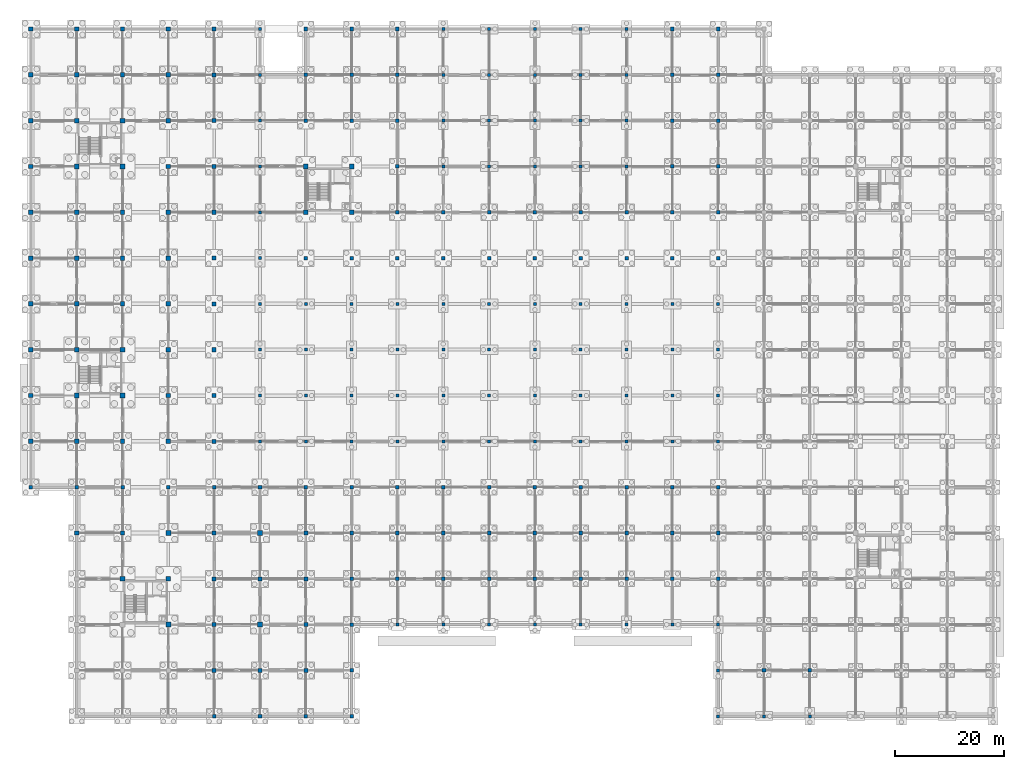
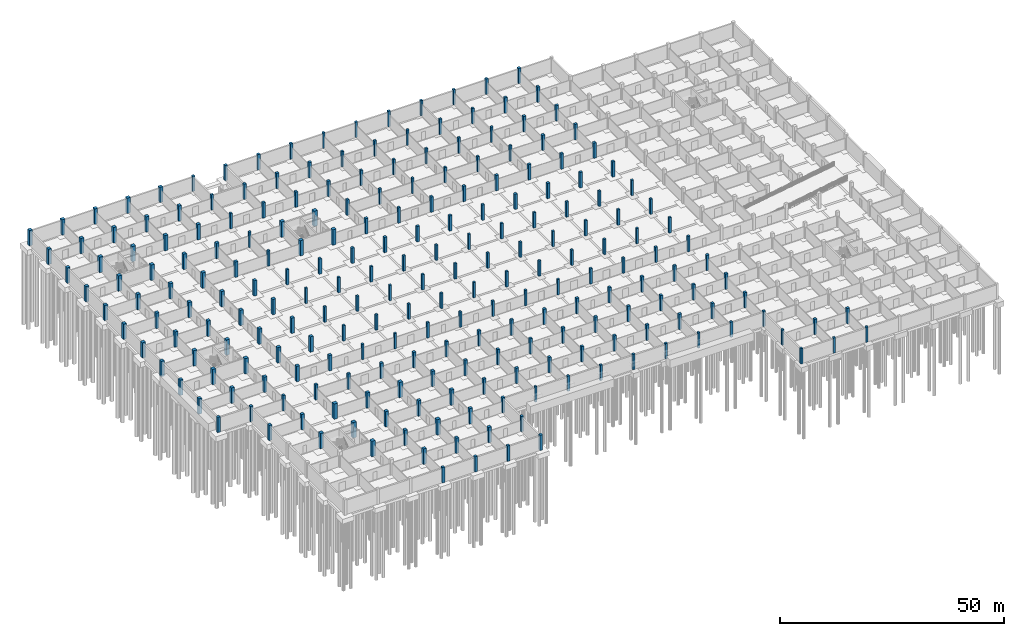
# One storey, part 16 of 43: 232 columns.
"""IFC4 building model written with IfcOpenShell, lengths in metres."""

from ifc_helpers import new_model, si_unit, direction, frame, origin, origin_2d, place, context, subcontext, project, spatial, rectangle, extrude, material, material_profile, profile_set, type_object, element, save


model = new_model("IFC4")

# Units and contexts
model_context = context("Model", 3, precision=1e-05, world=origin(), true_north=direction((0.0, 1.0)))
body_context = subcontext(model_context, "Body", "Model", "MODEL_VIEW")
ifc_project = project(units=[si_unit("LENGTHUNIT", "METRE"), si_unit("AREAUNIT", "SQUARE_METRE"), si_unit("VOLUMEUNIT", "CUBIC_METRE"), si_unit("PLANEANGLEUNIT", "RADIAN"), si_unit("MASSUNIT", "GRAM", prefix="KILO")], contexts=[model_context])

# Site, building, storey
site_placement = place(None, origin())
site = spatial("IfcSite", under=ifc_project, at=site_placement, CompositionType="ELEMENT")
building_placement = place(site_placement, origin())
building = spatial("IfcBuilding", under=site, at=building_placement, Name="Varnapada Polytechnic", CompositionType="ELEMENT")
storey_placement = place(building_placement, frame((0.0, 0.0, -4.199951171875)))
storey = spatial("IfcBuildingStorey", under=building, at=storey_placement, Name="B1", CompositionType="ELEMENT", Elevation=-4.199951171875)

# Columns
ifc_material = material(Name="Concrete C40/50", Category="concrete")
ifc_material_profile_1 = material_profile(ifc_material, rectangle(XDim=0.85009765625, YDim=0.85009765625, at=origin_2d()), Name="RC 850x850")
ifc_profile_set_1 = profile_set([ifc_material_profile_1], Name="Concrete C40/50")
column_type_1 = type_object("IfcColumnType", Name="Column C-01 (RC 850x850)", PredefinedType="COLUMN", material=ifc_profile_set_1)
for number, where, z_axis, x_axis, name in (
    (1, (8.39990234375, 58.800048828125, 0.0), (0.0, 0.0, 1.0), (1.0, 0.0, 0.0), "B1 column 2/8"),
    (2, (8.39990234375, 67.199951171875, 0.0), (0.0, 0.0, 1.0), (1.0, 0.0, 0.0), "B1 column 2/9"),
    (3, (8.39990234375, 100.800048828125, 0.0), (0.0, 0.0, 1.0), (1.0, 0.0, 0.0), "B1 column 2/13"),
    (4, (8.39990234375, 109.199951171875, 0.0), (0.0, 0.0, 1.0), (1.0, 0.0, 0.0), "B1 column 2/14"),
    (5, (16.800048828125, 25.199951171875, 0.0), (0.0, 0.0, 1.0), (1.0, 0.0, 0.0), "B1 column 3/4"),
    (6, (16.800048828125, 58.800048828125, 0.0), (0.0, 0.0, 1.0), (1.0, 0.0, 0.0), "B1 column 3/8"),
    (7, (16.800048828125, 67.199951171875, 0.0), (0.0, 0.0, 1.0), (1.0, 0.0, 0.0), "B1 column 3/9"),
    (8, (16.800048828125, 100.800048828125, 0.0), (0.0, 0.0, 1.0), (1.0, 0.0, 0.0), "B1 column 3/13"),
    (9, (16.800048828125, 109.199951171875, 0.0), (0.0, 0.0, 1.0), (1.0, 0.0, 0.0), "B1 column 3/14"),
    (10, (25.199951171875, 25.199951171875, 0.0), (0.0, 0.0, 1.0), (1.0, 0.0, 0.0), "B1 column 4/4"),
    (11, (50.39990234375, 92.39990234375, 0.0), (0.0, 0.0, 1.0), (1.0, 0.0, 0.0), "B1 column 7/12"),
    (12, (50.39990234375, 100.800048828125, 0.0), (0.0, 0.0, 1.0), (1.0, 0.0, 0.0), "B1 column 7/13"),
    (13, (58.800048828125, 92.39990234375, 0.0), (0.0, 0.0, 1.0), (1.0, 0.0, 0.0), "B1 column 8/12"),
    (14, (58.800048828125, 100.800048828125, 0.0), (0.0, 0.0, 1.0), (1.0, 0.0, 0.0), "B1 column 8/13"),
):
    element("IfcColumn", number, at=place(storey_placement, frame(where, z_axis=z_axis, x_axis=x_axis)), inside=storey, type_object=column_type_1, Name=name, PredefinedType="COLUMN", context=body_context, shape_type="SweptSolid", body=[
        extrude(rectangle(XDim=0.85009765625, YDim=0.85009765625, at=origin_2d()), origin(), (0.0, 0.0, 1.0), 4.199951171875),
    ])
ifc_material_profile_2 = material_profile(ifc_material, rectangle(XDim=0.75, YDim=0.75, at=origin_2d()), Name="RC 750x750")
ifc_profile_set_2 = profile_set([ifc_material_profile_2], Name="Concrete C40/50")
column_type_2 = type_object("IfcColumnType", Name="Column C-02 (RC 750x750)", PredefinedType="COLUMN", material=ifc_profile_set_2)
for number, where, z_axis, x_axis, name in (
    (15, (8.39990234375, 33.60009765625, 0.0), (0.0, 0.0, 1.0), (1.0, 0.0, 0.0), "B1 column 2/5"),
    (16, (16.800048828125, 33.60009765625, 0.0), (0.0, 0.0, 1.0), (1.0, 0.0, 0.0), "B1 column 3/5"),
    (17, (33.60009765625, 8.39990234375, 0.0), (0.0, 0.0, 1.0), (1.0, 0.0, 0.0), "B1 column 5/2"),
    (18, (33.60009765625, 16.800048828125, 0.0), (0.0, 0.0, 1.0), (1.0, 0.0, 0.0), "B1 column 5/3"),
    (19, (33.60009765625, 25.199951171875, 0.0), (0.0, 0.0, 1.0), (1.0, 0.0, 0.0), "B1 column 5/4"),
    (20, (33.60009765625, 33.60009765625, 0.0), (0.0, 0.0, 1.0), (1.0, 0.0, 0.0), "B1 column 5/5"),
    (21, (33.60009765625, 50.39990234375, 0.0), (0.0, 0.0, 1.0), (1.0, 0.0, 0.0), "B1 column 5/7"),
    (22, (33.60009765625, 58.800048828125, 0.0), (0.0, 0.0, 1.0), (1.0, 0.0, 0.0), "B1 column 5/8"),
    (23, (33.60009765625, 67.199951171875, 0.0), (0.0, 0.0, 1.0), (1.0, 0.0, 0.0), "B1 column 5/9"),
    (24, (33.60009765625, 75.60009765625, 0.0), (0.0, 0.0, 1.0), (1.0, 0.0, 0.0), "B1 column 5/10"),
    (25, (33.60009765625, 84.0, 0.0), (0.0, 0.0, 1.0), (1.0, 0.0, 0.0), "B1 column 5/11"),
    (26, (33.60009765625, 92.39990234375, 0.0), (0.0, 0.0, 1.0), (1.0, 0.0, 0.0), "B1 column 5/12"),
    (27, (33.60009765625, 100.800048828125, 0.0), (0.0, 0.0, 1.0), (1.0, 0.0, 0.0), "B1 column 5/13"),
    (28, (33.60009765625, 109.199951171875, 0.0), (0.0, 0.0, 1.0), (1.0, 0.0, 0.0), "B1 column 5/14"),
    (29, (33.60009765625, 117.60009765625, 0.0), (0.0, 0.0, 1.0), (1.0, 0.0, 0.0), "B1 column 5/15"),
    (30, (33.60009765625, 126.0, 0.0), (0.0, 0.0, 1.0), (1.0, 0.0, 0.0), "B1 column 5/16"),
    (31, (42.0, 8.39990234375, 0.0), (0.0, 0.0, 1.0), (1.0, 0.0, 0.0), "B1 column 6/2"),
    (32, (42.0, 25.199951171875, 0.0), (0.0, 0.0, 1.0), (1.0, 0.0, 0.0), "B1 column 6/4"),
    (33, (50.39990234375, 8.39990234375, 0.0), (0.0, 0.0, 1.0), (1.0, 0.0, 0.0), "B1 column 7/2"),
    (34, (50.39990234375, 16.800048828125, 0.0), (0.0, 0.0, 1.0), (1.0, 0.0, 0.0), "B1 column 7/3"),
    (35, (50.39990234375, 25.199951171875, 0.0), (0.0, 0.0, 1.0), (1.0, 0.0, 0.0), "B1 column 7/4"),
    (36, (50.39990234375, 33.60009765625, 0.0), (0.0, 0.0, 1.0), (1.0, 0.0, 0.0), "B1 column 7/5"),
):
    element("IfcColumn", number, at=place(storey_placement, frame(where, z_axis=z_axis, x_axis=x_axis)), inside=storey, type_object=column_type_2, Name=name, PredefinedType="COLUMN", context=body_context, shape_type="SweptSolid", body=[
        extrude(rectangle(XDim=0.75, YDim=0.75, at=origin_2d()), origin(), (0.0, 0.0, 1.0), 4.199951171875),
    ])
ifc_material_profile_3 = material_profile(ifc_material, rectangle(XDim=0.64990234375, YDim=0.64990234375, at=origin_2d()), Name="RC 650x650")
ifc_profile_set_3 = profile_set([ifc_material_profile_3], Name="Concrete C40/50")
column_type_3 = type_object("IfcColumnType", Name="Column C-03 (RC 650x650)", PredefinedType="COLUMN", material=ifc_profile_set_3)
for number, where, z_axis, x_axis, name in (
    (37, (0.0, 42.0, 0.0), (0.0, 0.0, 1.0), (1.0, 0.0, 0.0), "B1 column 1/6"),
    (38, (8.39990234375, 42.0, 0.0), (0.0, 0.0, 1.0), (1.0, 0.0, 0.0), "B1 column 2/6"),
    (39, (16.800048828125, 42.0, 0.0), (0.0, 0.0, 1.0), (1.0, 0.0, 0.0), "B1 column 3/6"),
    (40, (25.199951171875, 42.0, 0.0), (0.0, 0.0, 1.0), (1.0, 0.0, 0.0), "B1 column 4/6"),
    (41, (33.60009765625, 0.0, 0.0), (0.0, 0.0, 1.0), (1.0, 0.0, 0.0), "B1 column 5/1"),
    (42, (33.60009765625, 42.0, 0.0), (0.0, 0.0, 1.0), (1.0, 0.0, 0.0), "B1 column 5/6"),
    (43, (42.0, 0.0, 0.0), (0.0, 0.0, 1.0), (1.0, 0.0, 0.0), "B1 column 6/1"),
    (44, (42.0, 42.0, 0.0), (0.0, 0.0, 1.0), (1.0, 0.0, 0.0), "B1 column 6/6"),
    (45, (50.39990234375, 0.0, 0.0), (0.0, 0.0, 1.0), (1.0, 0.0, 0.0), "B1 column 7/1"),
    (46, (50.39990234375, 42.0, 0.0), (0.0, 0.0, 1.0), (1.0, 0.0, 0.0), "B1 column 7/6"),
    (47, (50.39990234375, 84.0, 0.0), (0.0, 0.0, 1.0), (1.0, 0.0, 0.0), "B1 column 7/11"),
    (48, (50.39990234375, 109.199951171875, 0.0), (0.0, 0.0, 1.0), (1.0, 0.0, 0.0), "B1 column 7/14"),
    (49, (50.39990234375, 117.60009765625, 0.0), (0.0, 0.0, 1.0), (1.0, 0.0, 0.0), "B1 column 7/15"),
    (50, (50.39990234375, 126.0, 0.0), (0.0, 0.0, 1.0), (1.0, 0.0, 0.0), "B1 column 7/16"),
    (51, (58.800048828125, 0.0, 0.0), (0.0, 0.0, 1.0), (1.0, 0.0, 0.0), "B1 column 8/1"),
    (52, (58.800048828125, 8.39990234375, 0.0), (0.0, 0.0, 1.0), (1.0, 0.0, 0.0), "B1 column 8/2"),
    (53, (58.800048828125, 16.800048828125, 0.0), (0.0, 0.0, 1.0), (1.0, 0.0, 0.0), "B1 column 8/3"),
    (54, (58.800048828125, 25.199951171875, 0.0), (0.0, 0.0, 1.0), (1.0, 0.0, 0.0), "B1 column 8/4"),
    (55, (58.800048828125, 33.60009765625, 0.0), (0.0, 0.0, 1.0), (1.0, 0.0, 0.0), "B1 column 8/5"),
    (56, (58.800048828125, 42.0, 0.0), (0.0, 0.0, 1.0), (1.0, 0.0, 0.0), "B1 column 8/6"),
    (57, (58.800048828125, 84.0, 0.0), (0.0, 0.0, 1.0), (1.0, 0.0, 0.0), "B1 column 8/11"),
    (58, (58.800048828125, 109.199951171875, 0.0), (0.0, 0.0, 1.0), (1.0, 0.0, 0.0), "B1 column 8/14"),
    (59, (58.800048828125, 117.60009765625, 0.0), (0.0, 0.0, 1.0), (1.0, 0.0, 0.0), "B1 column 8/15"),
    (60, (58.800048828125, 126.0, 0.0), (0.0, 0.0, 1.0), (1.0, 0.0, 0.0), "B1 column 8/16"),
    (61, (67.199951171875, 25.199951171875, 0.0), (0.0, 0.0, 1.0), (1.0, 0.0, 0.0), "B1 column 9/4"),
    (62, (67.199951171875, 33.60009765625, 0.0), (0.0, 0.0, 1.0), (1.0, 0.0, 0.0), "B1 column 9/5"),
    (63, (67.199951171875, 42.0, 0.0), (0.0, 0.0, 1.0), (1.0, 0.0, 0.0), "B1 column 9/6"),
    (64, (67.199951171875, 84.0, 0.0), (0.0, 0.0, 1.0), (1.0, 0.0, 0.0), "B1 column 9/11"),
    (65, (67.199951171875, 92.39990234375, 0.0), (0.0, 0.0, 1.0), (1.0, 0.0, 0.0), "B1 column 9/12"),
    (66, (67.199951171875, 100.800048828125, 0.0), (0.0, 0.0, 1.0), (1.0, 0.0, 0.0), "B1 column 9/13"),
    (67, (67.199951171875, 109.199951171875, 0.0), (0.0, 0.0, 1.0), (1.0, 0.0, 0.0), "B1 column 9/14"),
    (68, (67.199951171875, 117.60009765625, 0.0), (0.0, 0.0, 1.0), (1.0, 0.0, 0.0), "B1 column 9/15"),
    (69, (67.199951171875, 126.0, 0.0), (0.0, 0.0, 1.0), (1.0, 0.0, 0.0), "B1 column 9/16"),
    (70, (75.60009765625, 25.199951171875, 0.0), (0.0, 0.0, 1.0), (1.0, 0.0, 0.0), "B1 column 10/4"),
    (71, (75.60009765625, 33.60009765625, 0.0), (0.0, 0.0, 1.0), (1.0, 0.0, 0.0), "B1 column 10/5"),
    (72, (75.60009765625, 42.0, 0.0), (0.0, 0.0, 1.0), (1.0, 0.0, 0.0), "B1 column 10/6"),
    (73, (75.60009765625, 84.0, 0.0), (0.0, 0.0, 1.0), (1.0, 0.0, 0.0), "B1 column 10/11"),
    (74, (75.60009765625, 92.39990234375, 0.0), (0.0, 0.0, 1.0), (1.0, 0.0, 0.0), "B1 column 10/12"),
    (75, (84.0, 25.199951171875, 0.0), (0.0, 0.0, 1.0), (1.0, 0.0, 0.0), "B1 column 11/4"),
    (76, (84.0, 33.60009765625, 0.0), (0.0, 0.0, 1.0), (1.0, 0.0, 0.0), "B1 column 11/5"),
    (77, (84.0, 42.0, 0.0), (0.0, 0.0, 1.0), (1.0, 0.0, 0.0), "B1 column 11/6"),
    (78, (84.0, 84.0, 0.0), (0.0, 0.0, 1.0), (1.0, 0.0, 0.0), "B1 column 11/11"),
    (79, (84.0, 92.39990234375, 0.0), (0.0, 0.0, 1.0), (1.0, 0.0, 0.0), "B1 column 11/12"),
    (80, (92.39990234375, 25.199951171875, 0.0), (0.0, 0.0, 1.0), (1.0, 0.0, 0.0), "B1 column 12/4"),
    (81, (92.39990234375, 33.60009765625, 0.0), (0.0, 0.0, 1.0), (1.0, 0.0, 0.0), "B1 column 12/5"),
    (82, (92.39990234375, 42.0, 0.0), (0.0, 0.0, 1.0), (1.0, 0.0, 0.0), "B1 column 12/6"),
    (83, (92.39990234375, 84.0, 0.0), (0.0, 0.0, 1.0), (1.0, 0.0, 0.0), "B1 column 12/11"),
    (84, (92.39990234375, 92.39990234375, 0.0), (0.0, 0.0, 1.0), (1.0, 0.0, 0.0), "B1 column 12/12"),
    (85, (100.800048828125, 25.199951171875, 0.0), (0.0, 0.0, 1.0), (1.0, 0.0, 0.0), "B1 column 13/4"),
    (86, (100.800048828125, 33.60009765625, 0.0), (0.0, 0.0, 1.0), (1.0, 0.0, 0.0), "B1 column 13/5"),
    (87, (100.800048828125, 42.0, 0.0), (0.0, 0.0, 1.0), (1.0, 0.0, 0.0), "B1 column 13/6"),
    (88, (100.800048828125, 84.0, 0.0), (0.0, 0.0, 1.0), (1.0, 0.0, 0.0), "B1 column 13/11"),
    (89, (100.800048828125, 92.39990234375, 0.0), (0.0, 0.0, 1.0), (1.0, 0.0, 0.0), "B1 column 13/12"),
    (90, (109.199951171875, 25.199951171875, 0.0), (0.0, 0.0, 1.0), (1.0, 0.0, 0.0), "B1 column 14/4"),
    (91, (109.199951171875, 33.60009765625, 0.0), (0.0, 0.0, 1.0), (1.0, 0.0, 0.0), "B1 column 14/5"),
    (92, (109.199951171875, 42.0, 0.0), (0.0, 0.0, 1.0), (1.0, 0.0, 0.0), "B1 column 14/6"),
    (93, (109.199951171875, 84.0, 0.0), (0.0, 0.0, 1.0), (1.0, 0.0, 0.0), "B1 column 14/11"),
    (94, (109.199951171875, 92.39990234375, 0.0), (0.0, 0.0, 1.0), (1.0, 0.0, 0.0), "B1 column 14/12"),
    (95, (117.60009765625, 25.199951171875, 0.0), (0.0, 0.0, 1.0), (1.0, 0.0, 0.0), "B1 column 15/4"),
    (96, (117.60009765625, 33.60009765625, 0.0), (0.0, 0.0, 1.0), (1.0, 0.0, 0.0), "B1 column 15/5"),
    (97, (117.60009765625, 42.0, 0.0), (0.0, 0.0, 1.0), (1.0, 0.0, 0.0), "B1 column 15/6"),
    (98, (117.60009765625, 84.0, 0.0), (0.0, 0.0, 1.0), (1.0, 0.0, 0.0), "B1 column 15/11"),
    (99, (117.60009765625, 92.39990234375, 0.0), (0.0, 0.0, 1.0), (1.0, 0.0, 0.0), "B1 column 15/12"),
    (100, (117.60009765625, 100.800048828125, 0.0), (0.0, 0.0, 1.0), (1.0, 0.0, 0.0), "B1 column 15/13"),
    (101, (117.60009765625, 109.199951171875, 0.0), (0.0, 0.0, 1.0), (1.0, 0.0, 0.0), "B1 column 15/14"),
    (102, (117.60009765625, 117.60009765625, 0.0), (0.0, 0.0, 1.0), (1.0, 0.0, 0.0), "B1 column 15/15"),
    (103, (117.60009765625, 126.0, 0.0), (0.0, 0.0, 1.0), (1.0, 0.0, 0.0), "B1 column 15/16"),
    (104, (126.0, 25.199951171875, 0.0), (0.0, 0.0, 1.0), (1.0, 0.0, 0.0), "B1 column 16/4"),
    (105, (126.0, 33.60009765625, 0.0), (0.0, 0.0, 1.0), (1.0, 0.0, 0.0), "B1 column 16/5"),
    (106, (126.0, 42.0, 0.0), (0.0, 0.0, 1.0), (1.0, 0.0, 0.0), "B1 column 16/6"),
    (107, (126.0, 84.0, 0.0), (0.0, 0.0, 1.0), (1.0, 0.0, 0.0), "B1 column 16/11"),
    (108, (126.0, 92.39990234375, 0.0), (0.0, 0.0, 1.0), (1.0, 0.0, 0.0), "B1 column 16/12"),
    (109, (126.0, 100.800048828125, 0.0), (0.0, 0.0, 1.0), (1.0, 0.0, 0.0), "B1 column 16/13"),
    (110, (126.0, 109.199951171875, 0.0), (0.0, 0.0, 1.0), (1.0, 0.0, 0.0), "B1 column 16/14"),
    (111, (126.0, 117.60009765625, 0.0), (0.0, 0.0, 1.0), (1.0, 0.0, 0.0), "B1 column 16/15"),
    (112, (126.0, 126.0, 0.0), (0.0, 0.0, 1.0), (1.0, 0.0, 0.0), "B1 column 16/16"),
    (113, (134.39990234375, 8.39990234375, 0.0), (0.0, 0.0, 1.0), (1.0, 0.0, 0.0), "B1 column 17/2"),
    (114, (142.800048828125, 8.39990234375, 0.0), (0.0, 0.0, 1.0), (1.0, 0.0, 0.0), "B1 column 18/2"),
):
    element("IfcColumn", number, at=place(storey_placement, frame(where, z_axis=z_axis, x_axis=x_axis)), inside=storey, type_object=column_type_3, Name=name, PredefinedType="COLUMN", context=body_context, shape_type="SweptSolid", body=[
        extrude(rectangle(XDim=0.64990234375, YDim=0.64990234375, at=origin_2d()), origin(), (0.0, 0.0, 1.0), 4.199951171875),
    ])
ifc_material_profile_4 = material_profile(ifc_material, rectangle(XDim=0.550048828125, YDim=0.550048828125, at=origin_2d()), Name="RC 550x550")
ifc_profile_set_4 = profile_set([ifc_material_profile_4], Name="Concrete C40/50")
column_type_4 = type_object("IfcColumnType", Name="Column C-04 (RC 550x550)", PredefinedType="COLUMN", material=ifc_profile_set_4)
for number, where, z_axis, x_axis, name in (
    (115, (42.0, 50.39990234375, 0.0), (0.0, 0.0, 1.0), (1.0, 0.0, 0.0), "B1 column 6/7"),
    (116, (42.0, 58.800048828125, 0.0), (0.0, 0.0, 1.0), (1.0, 0.0, 0.0), "B1 column 6/8"),
    (117, (42.0, 67.199951171875, 0.0), (0.0, 0.0, 1.0), (1.0, 0.0, 0.0), "B1 column 6/9"),
    (118, (42.0, 75.60009765625, 0.0), (0.0, 0.0, 1.0), (1.0, 0.0, 0.0), "B1 column 6/10"),
    (119, (42.0, 84.0, 0.0), (0.0, 0.0, 1.0), (1.0, 0.0, 0.0), "B1 column 6/11"),
    (120, (42.0, 92.39990234375, 0.0), (0.0, 0.0, 1.0), (1.0, 0.0, 0.0), "B1 column 6/12"),
    (121, (42.0, 100.800048828125, 0.0), (0.0, 0.0, 1.0), (1.0, 0.0, 0.0), "B1 column 6/13"),
    (122, (42.0, 109.199951171875, 0.0), (0.0, 0.0, 1.0), (1.0, 0.0, 0.0), "B1 column 6/14"),
    (123, (42.0, 117.60009765625, 0.0), (0.0, 0.0, 1.0), (1.0, 0.0, 0.0), "B1 column 6/15"),
    (124, (42.0, 126.0, 0.0), (0.0, 0.0, 1.0), (1.0, 0.0, 0.0), "B1 column 6/16"),
    (125, (50.39990234375, 50.39990234375, 0.0), (0.0, 0.0, 1.0), (1.0, 0.0, 0.0), "B1 column 7/7"),
    (126, (50.39990234375, 58.800048828125, 0.0), (0.0, 0.0, 1.0), (1.0, 0.0, 0.0), "B1 column 7/8"),
    (127, (50.39990234375, 67.199951171875, 0.0), (0.0, 0.0, 1.0), (1.0, 0.0, 0.0), "B1 column 7/9"),
    (128, (50.39990234375, 75.60009765625, 0.0), (0.0, 0.0, 1.0), (1.0, 0.0, 0.0), "B1 column 7/10"),
    (129, (58.800048828125, 50.39990234375, 0.0), (0.0, 0.0, 1.0), (1.0, 0.0, 0.0), "B1 column 8/7"),
    (130, (58.800048828125, 58.800048828125, 0.0), (0.0, 0.0, 1.0), (1.0, 0.0, 0.0), "B1 column 8/8"),
    (131, (58.800048828125, 67.199951171875, 0.0), (0.0, 0.0, 1.0), (1.0, 0.0, 0.0), "B1 column 8/9"),
    (132, (58.800048828125, 75.60009765625, 0.0), (0.0, 0.0, 1.0), (1.0, 0.0, 0.0), "B1 column 8/10"),
    (133, (67.199951171875, 16.800048828125, 0.0), (0.0, 0.0, 1.0), (1.0, 0.0, 0.0), "B1 column 9/3"),
    (134, (67.199951171875, 50.39990234375, 0.0), (0.0, 0.0, 1.0), (1.0, 0.0, 0.0), "B1 column 9/7"),
    (135, (67.199951171875, 58.800048828125, 0.0), (0.0, 0.0, 1.0), (1.0, 0.0, 0.0), "B1 column 9/8"),
    (136, (67.199951171875, 67.199951171875, 0.0), (0.0, 0.0, 1.0), (1.0, 0.0, 0.0), "B1 column 9/9"),
    (137, (67.199951171875, 75.60009765625, 0.0), (0.0, 0.0, 1.0), (1.0, 0.0, 0.0), "B1 column 9/10"),
    (138, (75.60009765625, 16.800048828125, 0.0), (0.0, 0.0, 1.0), (1.0, 0.0, 0.0), "B1 column 10/3"),
    (139, (75.60009765625, 50.39990234375, 0.0), (0.0, 0.0, 1.0), (1.0, 0.0, 0.0), "B1 column 10/7"),
    (140, (75.60009765625, 58.800048828125, 0.0), (0.0, 0.0, 1.0), (1.0, 0.0, 0.0), "B1 column 10/8"),
    (141, (75.60009765625, 67.199951171875, 0.0), (0.0, 0.0, 1.0), (1.0, 0.0, 0.0), "B1 column 10/9"),
    (142, (75.60009765625, 75.60009765625, 0.0), (0.0, 0.0, 1.0), (1.0, 0.0, 0.0), "B1 column 10/10"),
    (143, (75.60009765625, 100.800048828125, 0.0), (0.0, 0.0, 1.0), (1.0, 0.0, 0.0), "B1 column 10/13"),
    (144, (75.60009765625, 109.199951171875, 0.0), (0.0, 0.0, 1.0), (1.0, 0.0, 0.0), "B1 column 10/14"),
    (145, (75.60009765625, 117.60009765625, 0.0), (0.0, 0.0, 1.0), (1.0, 0.0, 0.0), "B1 column 10/15"),
    (146, (75.60009765625, 126.0, 0.0), (0.0, 0.0, 1.0), (1.0, 0.0, 0.0), "B1 column 10/16"),
    (147, (84.0, 16.800048828125, 0.0), (0.0, 0.0, 1.0), (1.0, 0.0, 0.0), "B1 column 11/3"),
    (148, (84.0, 50.39990234375, 0.0), (0.0, 0.0, 1.0), (1.0, 0.0, 0.0), "B1 column 11/7"),
    (149, (84.0, 58.800048828125, 0.0), (0.0, 0.0, 1.0), (1.0, 0.0, 0.0), "B1 column 11/8"),
    (150, (84.0, 67.199951171875, 0.0), (0.0, 0.0, 1.0), (1.0, 0.0, 0.0), "B1 column 11/9"),
    (151, (84.0, 75.60009765625, 0.0), (0.0, 0.0, 1.0), (1.0, 0.0, 0.0), "B1 column 11/10"),
    (152, (84.0, 100.800048828125, 0.0), (0.0, 0.0, 1.0), (1.0, 0.0, 0.0), "B1 column 11/13"),
    (153, (84.0, 109.199951171875, 0.0), (0.0, 0.0, 1.0), (1.0, 0.0, 0.0), "B1 column 11/14"),
    (154, (84.0, 117.60009765625, 0.0), (0.0, 0.0, 1.0), (1.0, 0.0, 0.0), "B1 column 11/15"),
    (155, (84.0, 126.0, 0.0), (0.0, 0.0, 1.0), (1.0, 0.0, 0.0), "B1 column 11/16"),
    (156, (92.39990234375, 16.800048828125, 0.0), (0.0, 0.0, 1.0), (1.0, 0.0, 0.0), "B1 column 12/3"),
    (157, (92.39990234375, 50.39990234375, 0.0), (0.0, 0.0, 1.0), (1.0, 0.0, 0.0), "B1 column 12/7"),
    (158, (92.39990234375, 58.800048828125, 0.0), (0.0, 0.0, 1.0), (1.0, 0.0, 0.0), "B1 column 12/8"),
    (159, (92.39990234375, 67.199951171875, 0.0), (0.0, 0.0, 1.0), (1.0, 0.0, 0.0), "B1 column 12/9"),
    (160, (92.39990234375, 75.60009765625, 0.0), (0.0, 0.0, 1.0), (1.0, 0.0, 0.0), "B1 column 12/10"),
    (161, (92.39990234375, 100.800048828125, 0.0), (0.0, 0.0, 1.0), (1.0, 0.0, 0.0), "B1 column 12/13"),
    (162, (92.39990234375, 109.199951171875, 0.0), (0.0, 0.0, 1.0), (1.0, 0.0, 0.0), "B1 column 12/14"),
    (163, (92.39990234375, 117.60009765625, 0.0), (0.0, 0.0, 1.0), (1.0, 0.0, 0.0), "B1 column 12/15"),
    (164, (92.39990234375, 126.0, 0.0), (0.0, 0.0, 1.0), (1.0, 0.0, 0.0), "B1 column 12/16"),
    (165, (100.800048828125, 16.800048828125, 0.0), (0.0, 0.0, 1.0), (1.0, 0.0, 0.0), "B1 column 13/3"),
    (166, (100.800048828125, 50.39990234375, 0.0), (0.0, 0.0, 1.0), (1.0, 0.0, 0.0), "B1 column 13/7"),
    (167, (100.800048828125, 58.800048828125, 0.0), (0.0, 0.0, 1.0), (1.0, 0.0, 0.0), "B1 column 13/8"),
    (168, (100.800048828125, 67.199951171875, 0.0), (0.0, 0.0, 1.0), (1.0, 0.0, 0.0), "B1 column 13/9"),
    (169, (100.800048828125, 75.60009765625, 0.0), (0.0, 0.0, 1.0), (1.0, 0.0, 0.0), "B1 column 13/10"),
    (170, (100.800048828125, 100.800048828125, 0.0), (0.0, 0.0, 1.0), (1.0, 0.0, 0.0), "B1 column 13/13"),
    (171, (100.800048828125, 109.199951171875, 0.0), (0.0, 0.0, 1.0), (1.0, 0.0, 0.0), "B1 column 13/14"),
    (172, (100.800048828125, 117.60009765625, 0.0), (0.0, 0.0, 1.0), (1.0, 0.0, 0.0), "B1 column 13/15"),
    (173, (100.800048828125, 126.0, 0.0), (0.0, 0.0, 1.0), (1.0, 0.0, 0.0), "B1 column 13/16"),
    (174, (109.199951171875, 16.800048828125, 0.0), (0.0, 0.0, 1.0), (1.0, 0.0, 0.0), "B1 column 14/3"),
    (175, (109.199951171875, 50.39990234375, 0.0), (0.0, 0.0, 1.0), (1.0, 0.0, 0.0), "B1 column 14/7"),
    (176, (109.199951171875, 58.800048828125, 0.0), (0.0, 0.0, 1.0), (1.0, 0.0, 0.0), "B1 column 14/8"),
    (177, (109.199951171875, 67.199951171875, 0.0), (0.0, 0.0, 1.0), (1.0, 0.0, 0.0), "B1 column 14/9"),
    (178, (109.199951171875, 75.60009765625, 0.0), (0.0, 0.0, 1.0), (1.0, 0.0, 0.0), "B1 column 14/10"),
    (179, (109.199951171875, 100.800048828125, 0.0), (0.0, 0.0, 1.0), (1.0, 0.0, 0.0), "B1 column 14/13"),
    (180, (109.199951171875, 109.199951171875, 0.0), (0.0, 0.0, 1.0), (1.0, 0.0, 0.0), "B1 column 14/14"),
    (181, (109.199951171875, 117.60009765625, 0.0), (0.0, 0.0, 1.0), (1.0, 0.0, 0.0), "B1 column 14/15"),
    (182, (109.199951171875, 126.0, 0.0), (0.0, 0.0, 1.0), (1.0, 0.0, 0.0), "B1 column 14/16"),
    (183, (117.60009765625, 16.800048828125, 0.0), (0.0, 0.0, 1.0), (1.0, 0.0, 0.0), "B1 column 15/3"),
    (184, (117.60009765625, 50.39990234375, 0.0), (0.0, 0.0, 1.0), (1.0, 0.0, 0.0), "B1 column 15/7"),
    (185, (117.60009765625, 58.800048828125, 0.0), (0.0, 0.0, 1.0), (1.0, 0.0, 0.0), "B1 column 15/8"),
    (186, (117.60009765625, 67.199951171875, 0.0), (0.0, 0.0, 1.0), (1.0, 0.0, 0.0), "B1 column 15/9"),
    (187, (117.60009765625, 75.60009765625, 0.0), (0.0, 0.0, 1.0), (1.0, 0.0, 0.0), "B1 column 15/10"),
    (188, (126.0, 0.0, 0.0), (0.0, 0.0, 1.0), (1.0, 0.0, 0.0), "B1 column 16/1"),
    (189, (126.0, 8.39990234375, 0.0), (0.0, 0.0, 1.0), (1.0, 0.0, 0.0), "B1 column 16/2"),
    (190, (126.0, 16.800048828125, 0.0), (0.0, 0.0, 1.0), (1.0, 0.0, 0.0), "B1 column 16/3"),
    (191, (126.0, 50.39990234375, 0.0), (0.0, 0.0, 1.0), (1.0, 0.0, 0.0), "B1 column 16/7"),
    (192, (126.0, 58.800048828125, 0.0), (0.0, 0.0, 1.0), (1.0, 0.0, 0.0), "B1 column 16/8"),
    (193, (126.0, 67.199951171875, 0.0), (0.0, 0.0, 1.0), (1.0, 0.0, 0.0), "B1 column 16/9"),
    (194, (126.0, 75.60009765625, 0.0), (0.0, 0.0, 1.0), (1.0, 0.0, 0.0), "B1 column 16/10"),
    (195, (134.39990234375, 0.0, 0.0), (0.0, 0.0, 1.0), (1.0, 0.0, 0.0), "B1 column 17/1"),
    (196, (142.800048828125, 0.0, 0.0), (0.0, 0.0, 1.0), (1.0, 0.0, 0.0), "B1 column 18/1"),
):
    element("IfcColumn", number, at=place(storey_placement, frame(where, z_axis=z_axis, x_axis=x_axis)), inside=storey, type_object=column_type_4, Name=name, PredefinedType="COLUMN", context=body_context, shape_type="SweptSolid", body=[
        extrude(rectangle(XDim=0.550048828125, YDim=0.550048828125, at=origin_2d()), origin(), (0.0, 0.0, 1.0), 4.199951171875),
    ])
ifc_material_profile_5 = material_profile(ifc_material, rectangle(XDim=0.800048828125, YDim=0.800048828125, at=origin_2d()), Name="RC 800x800")
ifc_profile_set_5 = profile_set([ifc_material_profile_5], Name="Concrete C40/50")
column_type_5 = type_object("IfcColumnType", Name="Column C-16 (RC 800x800)", PredefinedType="COLUMN", material=ifc_profile_set_5)
for number, where, z_axis, x_axis, name in (
    (197, (0.0, 50.39990234375, 0.0), (0.0, 0.0, 1.0), (1.0, 0.0, 0.0), "B1 column 1/7"),
    (198, (0.0, 58.800048828125, 0.0), (0.0, 0.0, 1.0), (1.0, 0.0, 0.0), "B1 column 1/8"),
    (199, (0.0, 67.199951171875, 0.0), (0.0, 0.0, 1.0), (1.0, 0.0, 0.0), "B1 column 1/9"),
    (200, (0.0, 75.60009765625, 0.0), (0.0, 0.0, 1.0), (1.0, 0.0, 0.0), "B1 column 1/10"),
    (201, (0.0, 84.0, 0.0), (0.0, 0.0, 1.0), (1.0, 0.0, 0.0), "B1 column 1/11"),
    (202, (0.0, 92.39990234375, 0.0), (0.0, 0.0, 1.0), (1.0, 0.0, 0.0), "B1 column 1/12"),
    (203, (0.0, 100.800048828125, 0.0), (0.0, 0.0, 1.0), (1.0, 0.0, 0.0), "B1 column 1/13"),
    (204, (0.0, 109.199951171875, 0.0), (0.0, 0.0, 1.0), (1.0, 0.0, 0.0), "B1 column 1/14"),
    (205, (0.0, 117.60009765625, 0.0), (0.0, 0.0, 1.0), (1.0, 0.0, 0.0), "B1 column 1/15"),
    (206, (0.0, 126.0, 0.0), (0.0, 0.0, 1.0), (1.0, 0.0, 0.0), "B1 column 1/16"),
    (207, (8.39990234375, 50.39990234375, 0.0), (0.0, 0.0, 1.0), (1.0, 0.0, 0.0), "B1 column 2/7"),
    (208, (8.39990234375, 75.60009765625, 0.0), (0.0, 0.0, 1.0), (1.0, 0.0, 0.0), "B1 column 2/10"),
    (209, (8.39990234375, 84.0, 0.0), (0.0, 0.0, 1.0), (1.0, 0.0, 0.0), "B1 column 2/11"),
    (210, (8.39990234375, 92.39990234375, 0.0), (0.0, 0.0, 1.0), (1.0, 0.0, 0.0), "B1 column 2/12"),
    (211, (8.39990234375, 117.60009765625, 0.0), (0.0, 0.0, 1.0), (1.0, 0.0, 0.0), "B1 column 2/15"),
    (212, (8.39990234375, 126.0, 0.0), (0.0, 0.0, 1.0), (1.0, 0.0, 0.0), "B1 column 2/16"),
    (213, (16.800048828125, 50.39990234375, 0.0), (0.0, 0.0, 1.0), (1.0, 0.0, 0.0), "B1 column 3/7"),
    (214, (16.800048828125, 75.60009765625, 0.0), (0.0, 0.0, 1.0), (1.0, 0.0, 0.0), "B1 column 3/10"),
    (215, (16.800048828125, 84.0, 0.0), (0.0, 0.0, 1.0), (1.0, 0.0, 0.0), "B1 column 3/11"),
    (216, (16.800048828125, 92.39990234375, 0.0), (0.0, 0.0, 1.0), (1.0, 0.0, 0.0), "B1 column 3/12"),
    (217, (16.800048828125, 117.60009765625, 0.0), (0.0, 0.0, 1.0), (1.0, 0.0, 0.0), "B1 column 3/15"),
    (218, (16.800048828125, 126.0, 0.0), (0.0, 0.0, 1.0), (1.0, 0.0, 0.0), "B1 column 3/16"),
    (219, (25.199951171875, 50.39990234375, 0.0), (0.0, 0.0, 1.0), (1.0, 0.0, 0.0), "B1 column 4/7"),
    (220, (25.199951171875, 58.800048828125, 0.0), (0.0, 0.0, 1.0), (1.0, 0.0, 0.0), "B1 column 4/8"),
    (221, (25.199951171875, 67.199951171875, 0.0), (0.0, 0.0, 1.0), (1.0, 0.0, 0.0), "B1 column 4/9"),
    (222, (25.199951171875, 75.60009765625, 0.0), (0.0, 0.0, 1.0), (1.0, 0.0, 0.0), "B1 column 4/10"),
    (223, (25.199951171875, 84.0, 0.0), (0.0, 0.0, 1.0), (1.0, 0.0, 0.0), "B1 column 4/11"),
    (224, (25.199951171875, 92.39990234375, 0.0), (0.0, 0.0, 1.0), (1.0, 0.0, 0.0), "B1 column 4/12"),
    (225, (25.199951171875, 100.800048828125, 0.0), (0.0, 0.0, 1.0), (1.0, 0.0, 0.0), "B1 column 4/13"),
    (226, (25.199951171875, 109.199951171875, 0.0), (0.0, 0.0, 1.0), (1.0, 0.0, 0.0), "B1 column 4/14"),
    (227, (25.199951171875, 117.60009765625, 0.0), (0.0, 0.0, 1.0), (1.0, 0.0, 0.0), "B1 column 4/15"),
    (228, (25.199951171875, 126.0, 0.0), (0.0, 0.0, 1.0), (1.0, 0.0, 0.0), "B1 column 4/16"),
):
    element("IfcColumn", number, at=place(storey_placement, frame(where, z_axis=z_axis, x_axis=x_axis)), inside=storey, type_object=column_type_5, Name=name, PredefinedType="COLUMN", context=body_context, shape_type="SweptSolid", body=[
        extrude(rectangle(XDim=0.800048828125, YDim=0.800048828125, at=origin_2d()), origin(), (0.0, 0.0, 1.0), 4.199951171875),
    ])
ifc_material_profile_6 = material_profile(ifc_material, rectangle(XDim=0.89990234375, YDim=0.89990234375, at=origin_2d()), Name="RC 900x900")
ifc_profile_set_6 = profile_set([ifc_material_profile_6], Name="Concrete C40/50")
column_type_6 = type_object("IfcColumnType", Name="Column C-28 (RC 900x900)", PredefinedType="COLUMN", material=ifc_profile_set_6)
for number, where, z_axis, x_axis, name in (
    (229, (25.199951171875, 16.800048828125, 0.0), (0.0, 0.0, 1.0), (1.0, 0.0, 0.0), "B1 column 4/3"),
    (230, (25.199951171875, 33.60009765625, 0.0), (0.0, 0.0, 1.0), (1.0, 0.0, 0.0), "B1 column 4/5"),
    (231, (42.0, 16.800048828125, 0.0), (0.0, 0.0, 1.0), (1.0, 0.0, 0.0), "B1 column 6/3"),
    (232, (42.0, 33.60009765625, 0.0), (0.0, 0.0, 1.0), (1.0, 0.0, 0.0), "B1 column 6/5"),
):
    element("IfcColumn", number, at=place(storey_placement, frame(where, z_axis=z_axis, x_axis=x_axis)), inside=storey, type_object=column_type_6, Name=name, PredefinedType="COLUMN", context=body_context, shape_type="SweptSolid", body=[
        extrude(rectangle(XDim=0.89990234375, YDim=0.89990234375, at=origin_2d()), origin(), (0.0, 0.0, 1.0), 4.199951171875),
    ])

save(model, "model.ifc")
